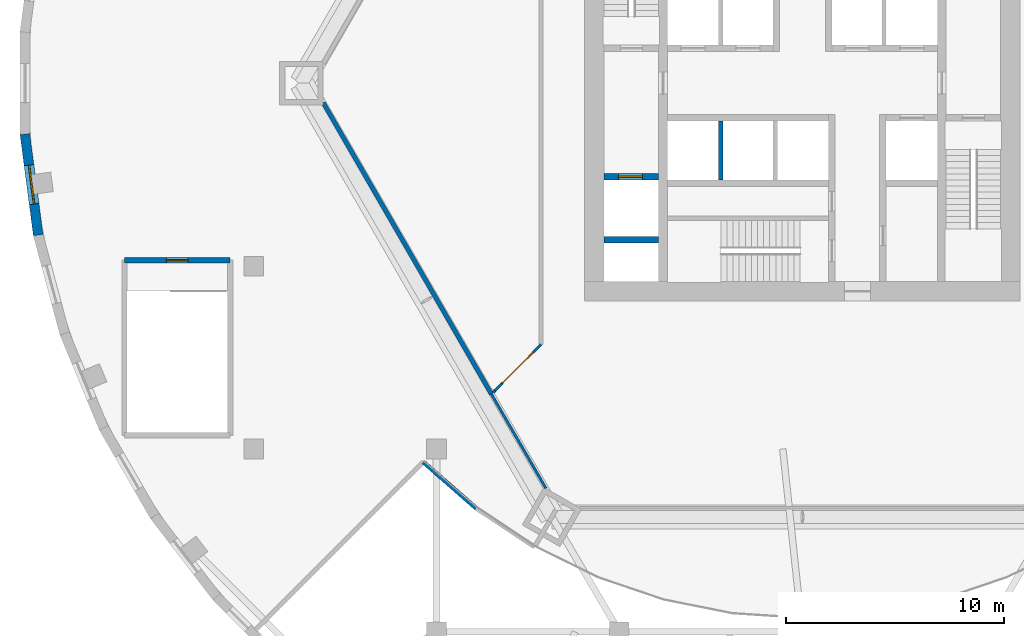
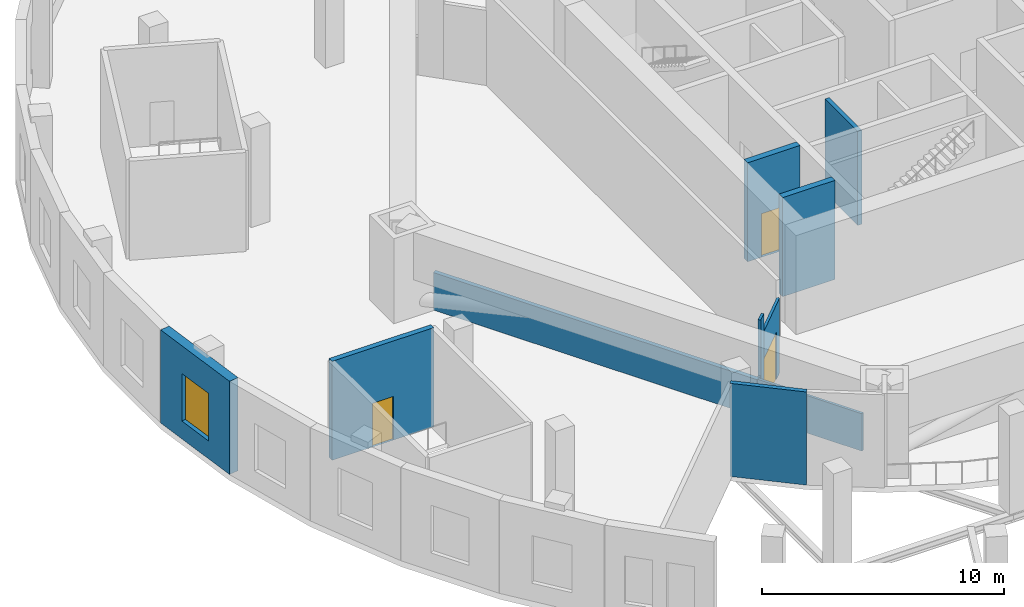
# One storey, part 3 of 10: 11 walls, 3 doors, 1 window, 4 openings.
"""IFC4 building model written with IfcOpenShell, lengths in metres."""

from ifc_helpers import new_model, si_unit, direction, frame, frame_2d, origin, place, context, subcontext, project, spatial, rectangle, extrude, material, layer, layer_set, type_object, element, fill, save


model = new_model("IFC4")

# Units and contexts
model_context = context("Model", 3, precision=1e-05, world=origin(), true_north=direction((0.0, 1.0)))
body_context = subcontext(model_context, "Body", "Model", "MODEL_VIEW")
ifc_project = project(units=[si_unit("LENGTHUNIT", "METRE"), si_unit("AREAUNIT", "SQUARE_METRE"), si_unit("VOLUMEUNIT", "CUBIC_METRE"), si_unit("PLANEANGLEUNIT", "RADIAN"), si_unit("MASSUNIT", "GRAM", prefix="KILO")], contexts=[model_context])

# Site, building, storey
site_placement = place(None, origin())
site = spatial("IfcSite", under=ifc_project, at=site_placement, CompositionType="ELEMENT")
building_placement = place(site_placement, origin())
building = spatial("IfcBuilding", under=site, at=building_placement, Name="Golbaran Civic Tower", CompositionType="ELEMENT")
storey_placement = place(building_placement, frame((0.0, 0.0, 16.0)))
storey = spatial("IfcBuildingStorey", under=building, at=storey_placement, Name="L03", CompositionType="ELEMENT", Elevation=16.0)

# Wall
ifc_material_1 = material(Name="Glazed screen on steel framing", Category="steel")
ifc_layer_1 = layer(ifc_material_1, 0.1201171875, Name="Glazed screen on steel framing")
ifc_layer_set_1 = layer_set([ifc_layer_1], Name="Glazed screen on steel framing")
wall_type_1 = type_object("IfcWallType", Name="GLAZED SCREEN PARTITION 120", PredefinedType="PARTITIONING", material=ifc_layer_set_1)
wall_1_placement = place(storey_placement, frame((-14.1201171875, -14.1201171875, 0.0), z_axis=(0.0, 0.0, 1.0), x_axis=(0.707106781187, 0.707106781187, 0.0)))
element("IfcWall", 1, at=wall_1_placement, inside=storey, type_object=wall_type_1, Name="Podium partition L03", PredefinedType="PARTITIONING", context=body_context, shape_type="SweptSolid", body=[
    extrude(rectangle(XDim=0.479248046875, YDim=0.1201171875, at=frame_2d((0.23974609375, 0.0))), origin(), (0.0, 0.0, 1.0), 4.699951171875),
])

# Wall, opening, door
wall_2_placement = place(storey_placement, frame((-13.78125, -13.78125, 0.0), z_axis=(0.0, 0.0, 1.0), x_axis=(0.707106781187, 0.707106781187, 0.0)))
wall_2 = element("IfcWall", 2, at=wall_2_placement, inside=storey, type_object=wall_type_1, Name="Podium partition L03 (part 2)", PredefinedType="PARTITIONING", context=body_context, shape_type="SweptSolid", body=[
    extrude(rectangle(XDim=2.51904296875, YDim=0.1201171875, at=frame_2d((1.259521484375, 0.0))), origin(), (0.0, 0.0, 1.0), 3.7900390625),
])
opening_1_placement = place(wall_2_placement, frame((0.02001953125, 0.0, 0.0)))
opening_1 = element("IfcOpeningElement", 3, at=opening_1_placement, cuts=wall_2, Name="Opening L03.02", PredefinedType="OPENING", context=body_context, shape_type="SweptSolid", body=[
    extrude(rectangle(XDim=2.0, YDim=2.39990234375, at=frame_2d((1.0, 1.199951171875))), frame((0.0, 0.070068359375, 0.0), z_axis=(0.0, -1.0, 0.0), x_axis=(1.0, 0.0, 0.0)), (0.0, 0.0, 1.0), 0.14013671875),
])
ifc_material_2 = material(Name="Timber door set in steel frame", Category="steel")
door_type_1 = type_object("IfcDoorType", Name="PUBLIC DOUBLE DOOR 2000x2400", OperationType="DOUBLE_DOOR_SINGLE_SWING", PredefinedType="DOOR", material=ifc_material_2)
door_1_placement = place(opening_1_placement, origin())
door_1 = element("IfcDoor", 4, at=door_1_placement, inside=storey, type_object=door_type_1, Name="Office 3 door", OperationType="DOUBLE_DOOR_SINGLE_SWING", OverallHeight=2.39990234375, OverallWidth=2.0, PredefinedType="DOOR", context=body_context, shape_type="SweptSolid", body=[
    extrude(rectangle(XDim=2.0, YDim=2.39990234375, at=frame_2d((1.0, 1.199951171875))), frame((0.0, 0.02490234375, 0.0), z_axis=(0.0, -1.0, 0.0), x_axis=(1.0, 0.0, 0.0)), (0.0, 0.0, 1.0), 0.050048828125),
])
fill(opening_1, door_1)

# Walls
wall_3_placement = place(storey_placement, frame((-14.20068359375, -14.20068359375, 0.0), z_axis=(0.0, 0.0, 1.0), x_axis=(0.707106781187, 0.707106781187, 0.0)))
element("IfcWall", 5, at=wall_3_placement, inside=storey, type_object=wall_type_1, Name="Podium partition L03 under the beam over", PredefinedType="PARTITIONING", context=body_context, shape_type="SweptSolid", body=[
    extrude(rectangle(XDim=0.114013671875, YDim=0.1201171875, at=frame_2d((0.05712890625, 0.0))), origin(), (0.0, 0.0, 1.0), 1.889892578125),
])
wall_4_placement = place(storey_placement, frame((-14.280029296875, -14.280029296875, 0.0), z_axis=(0.0, 0.0, 1.0), x_axis=(0.500785735381, -0.865571283742, 0.0)))
element("IfcWall", 6, at=wall_4_placement, inside=storey, type_object=wall_type_1, Name="Podium partition L03 under the transfer girder", PredefinedType="PARTITIONING", context=body_context, shape_type="SweptSolid", body=[
    extrude(rectangle(XDim=4.994140625, YDim=0.1201171875, at=frame_2d((2.4970703125, 0.0))), origin(), (0.0, 0.0, 1.0), 1.889892578125),
])
ifc_material_3 = material(Name="Concrete block", Category="concrete")
ifc_layer_2 = layer(ifc_material_3, 0.199951171875, Name="Concrete block")
ifc_layer_set_2 = layer_set([ifc_layer_2], Name="Concrete block")
wall_type_2 = type_object("IfcWallType", Name="LIFT SEPARATOR WALL 200", PredefinedType="SOLIDWALL", material=ifc_layer_set_2)
wall_5_placement = place(storey_placement, frame((-3.75, -1.75, 0.0), z_axis=(0.0, 0.0, 1.0), x_axis=(0.0, -1.0, 0.0)))
element("IfcWall", 7, at=wall_5_placement, inside=storey, type_object=wall_type_2, Name="Core partition SSW L03", PredefinedType="SOLIDWALL", context=body_context, shape_type="SweptSolid", body=[
    extrude(rectangle(XDim=2.699951171875, YDim=0.199951171875, at=frame_2d((1.35009765625, 0.0))), origin(), (0.0, 0.0, 1.0), 4.75),
])
ifc_material_4 = material(Name="Concrete block, plastered", Category="concrete")
ifc_layer_3 = layer(ifc_material_4, 0.199951171875, Name="Concrete block, plastered")
ifc_layer_set_3 = layer_set([ifc_layer_3], Name="Concrete block, plastered")
wall_type_3 = type_object("IfcWallType", Name="PODIUM PARTITION 200", PredefinedType="PARTITIONING", material=ifc_layer_set_3)
wall_6_placement = place(storey_placement, frame((-22.0, -0.901123046875, 0.0), z_axis=(0.0, 0.0, 1.0), x_axis=(0.499789042554, -0.866147165869, 0.0)))
element("IfcWall", 8, at=wall_6_placement, inside=storey, type_object=wall_type_3, Name="Podium partition L03 under the transfer girder", PredefinedType="PARTITIONING", context=body_context, shape_type="SweptSolid", body=[
    extrude(rectangle(XDim=15.446533203125, YDim=0.199951171875, at=frame_2d((7.72314453125, 0.0))), origin(), (0.0, 0.0, 1.0), 1.889892578125),
])
wall_7_placement = place(storey_placement, frame((-17.39990234375, -17.39990234375, 0.0), z_axis=(0.0, 0.0, 1.0), x_axis=(0.752162877314, -0.658977242392, 0.0)))
element("IfcWall", 9, at=wall_7_placement, inside=storey, type_object=wall_type_3, Name="Podium partition L03", PredefinedType="PARTITIONING", context=body_context, shape_type="SweptSolid", body=[
    extrude(rectangle(XDim=3.21728515625, YDim=0.199951171875, at=frame_2d((1.608642578125, 0.0))), origin(), (0.0, 0.0, 1.0), 4.699951171875),
])

# Wall, opening, door
ifc_material_5 = material(Name="Concrete C50/60", Category="concrete")
ifc_layer_4 = layer(ifc_material_5, 0.300048828125, Name="Concrete C50/60")
ifc_layer_set_4 = layer_set([ifc_layer_4], Name="Concrete C50/60")
wall_type_4 = type_object("IfcWallType", Name="SHAFT WALL CONCRETE 300", PredefinedType="SOLIDWALL", material=ifc_layer_set_4)
wall_8_placement = place(storey_placement, frame((-9.10009765625, -4.300048828125, 0.0), z_axis=(0.0, 0.0, 1.0), x_axis=(1.0, 0.0, 0.0)))
wall_8 = element("IfcWall", 10, at=wall_8_placement, inside=storey, type_object=wall_type_4, Name="Core wall XW2 L03", PredefinedType="SOLIDWALL", context=body_context, shape_type="SweptSolid", body=[
    extrude(rectangle(XDim=2.5, YDim=0.300048828125, at=frame_2d((1.25, 0.0))), origin(), (0.0, 0.0, 1.0), 5.0),
])
opening_2_placement = place(wall_8_placement, frame((0.64990234375, 0.0, 0.0)))
opening_2 = element("IfcOpeningElement", 11, at=opening_2_placement, cuts=wall_8, Name="Opening L03.LD-F1", PredefinedType="OPENING", context=body_context, shape_type="SweptSolid", body=[
    extrude(rectangle(XDim=1.10009765625, YDim=2.199951171875, at=frame_2d((0.550048828125, 1.10009765625))), frame((0.0, 0.159912109375, 0.0), z_axis=(0.0, -1.0, 0.0), x_axis=(1.0, 0.0, 0.0)), (0.0, 0.0, 1.0), 0.320068359375),
])
ifc_material_6 = material(Name="Stainless steel", Category="steel")
door_type_2 = type_object("IfcDoorType", Name="LIFT LANDING DOOR 1100x2200", OperationType="SLIDING_TO_LEFT", PredefinedType="DOOR", material=ifc_material_6)
door_2_placement = place(opening_2_placement, origin())
door_2 = element("IfcDoor", 12, at=door_2_placement, inside=storey, type_object=door_type_2, Name="Lift landing door F1", OperationType="SLIDING_TO_LEFT", OverallHeight=2.199951171875, OverallWidth=1.10009765625, PredefinedType="DOOR", context=body_context, shape_type="SweptSolid", body=[
    extrude(rectangle(XDim=1.10009765625, YDim=2.199951171875, at=frame_2d((0.550048828125, 1.10009765625))), frame((0.0, 0.02490234375, 0.0), z_axis=(0.0, -1.0, 0.0), x_axis=(1.0, 0.0, 0.0)), (0.0, 0.0, 1.0), 0.050048828125),
])
fill(opening_2, door_2)

# Wall
wall_9_placement = place(storey_placement, frame((-9.10009765625, -7.199951171875, 0.0), z_axis=(0.0, 0.0, 1.0), x_axis=(1.0, 0.0, 0.0)))
element("IfcWall", 13, at=wall_9_placement, inside=storey, type_object=wall_type_4, Name="Core wall XW3 L03", PredefinedType="SOLIDWALL", context=body_context, shape_type="SweptSolid", body=[
    extrude(rectangle(XDim=2.5, YDim=0.300048828125, at=frame_2d((1.25, 0.0))), origin(), (0.0, 0.0, 1.0), 5.0),
])

# Wall, opening, door
ifc_layer_5 = layer(ifc_material_5, 0.25, Name="Concrete C50/60")
ifc_layer_set_5 = layer_set([ifc_layer_5], Name="Concrete C50/60")
wall_type_5 = type_object("IfcWallType", Name="STAIR ENCLOSURE WALL CONCRETE 250", PredefinedType="SOLIDWALL", material=ifc_layer_set_5)
wall_10_placement = place(storey_placement, frame((-31.125, -8.125, 0.0), z_axis=(0.0, 0.0, 1.0), x_axis=(1.0, 0.0, 0.0)))
wall_10 = element("IfcWall", 14, at=wall_10_placement, inside=storey, type_object=wall_type_5, Name="Stair P3 enclosure A L03", PredefinedType="SOLIDWALL", context=body_context, shape_type="SweptSolid", body=[
    extrude(rectangle(XDim=4.85009765625, YDim=0.25, at=frame_2d((2.425048828125, 0.0))), origin(), (0.0, 0.0, 1.0), 5.0),
])
opening_3_placement = place(wall_10_placement, frame((1.925048828125, 0.0, 0.0)))
opening_3 = element("IfcOpeningElement", 15, at=opening_3_placement, cuts=wall_10, Name="Opening L03.P3", PredefinedType="OPENING", context=body_context, shape_type="SweptSolid", body=[
    extrude(rectangle(XDim=1.0, YDim=2.199951171875, at=frame_2d((0.5, 1.10009765625))), frame((0.0, 0.135009765625, 0.0), z_axis=(0.0, -1.0, 0.0), x_axis=(1.0, 0.0, 0.0)), (0.0, 0.0, 1.0), 0.27001953125),
])
door_type_3 = type_object("IfcDoorType", Name="STAIR DOOR 1000x2200", OperationType="SINGLE_SWING_LEFT", PredefinedType="DOOR", material=ifc_material_2)
door_3_placement = place(opening_3_placement, origin())
door_3 = element("IfcDoor", 16, at=door_3_placement, inside=storey, type_object=door_type_3, Name="Stair P3 door", OperationType="SINGLE_SWING_LEFT", OverallHeight=2.199951171875, OverallWidth=1.0, PredefinedType="DOOR", context=body_context, shape_type="SweptSolid", body=[
    extrude(rectangle(XDim=1.0, YDim=2.199951171875, at=frame_2d((0.5, 1.10009765625))), frame((0.0, 0.02490234375, 0.0), z_axis=(0.0, -1.0, 0.0), x_axis=(1.0, 0.0, 0.0)), (0.0, 0.0, 1.0), 0.050048828125),
])
fill(opening_3, door_3)

# Wall, opening, window
ifc_material_7 = material(Name="Terracotta brick", Category="masonry")
ifc_layer_6 = layer(ifc_material_7, 0.449951171875, Name="Terracotta brick")
ifc_layer_set_6 = layer_set([ifc_layer_6], Name="Terracotta brick")
wall_type_6 = type_object("IfcWallType", Name="TERRACOTTA BRICK FACADE WALL 450", PredefinedType="SOLIDWALL", material=ifc_layer_set_6)
wall_11_placement = place(storey_placement, frame((-35.698486328125, -2.33984375, 0.0), z_axis=(0.0, 0.0, 1.0), x_axis=(0.130536838198, -0.991443459746, 0.0)))
wall_11 = element("IfcWall", 17, at=wall_11_placement, inside=storey, type_object=wall_type_6, Name="Podium wall L03 facet 25", PredefinedType="SOLIDWALL", context=body_context, shape_type="SweptSolid", body=[
    extrude(rectangle(XDim=4.679443359375, YDim=0.449951171875, at=frame_2d((2.33984375, 0.0))), origin(), (0.0, 0.0, 1.0), 4.699951171875),
])
opening_4_placement = place(wall_11_placement, frame((1.439697265625, 0.0, 0.89990234375)))
opening_4 = element("IfcOpeningElement", 18, at=opening_4_placement, cuts=wall_11, Name="Opening L03.W27", PredefinedType="OPENING", context=body_context, shape_type="SweptSolid", body=[
    extrude(rectangle(XDim=1.800048828125, YDim=2.39990234375, at=frame_2d((0.89990234375, 1.199951171875))), frame((0.0, 0.23486328125, 0.0), z_axis=(0.0, -1.0, 0.0), x_axis=(1.0, 0.0, 0.0)), (0.0, 0.0, 1.0), 0.469970703125),
])
ifc_material_8 = material(Name="Aluminium frame, clear glass", Category="aluminium")
window_type = type_object("IfcWindowType", Name="PODIUM WINDOW 1800x2400", PartitioningType="SINGLE_PANEL", PredefinedType="WINDOW", material=ifc_material_8)
window_placement = place(opening_4_placement, origin())
window = element("IfcWindow", 19, at=window_placement, inside=storey, type_object=window_type, Name="Podium window L03 facet 25", OverallHeight=2.39990234375, OverallWidth=1.800048828125, PartitioningType="SINGLE_PANEL", PredefinedType="WINDOW", context=body_context, shape_type="SweptSolid", body=[
    extrude(rectangle(XDim=1.800048828125, YDim=2.39990234375, at=frame_2d((0.89990234375, 1.199951171875))), frame((0.0, 0.030029296875, 0.0), z_axis=(0.0, -1.0, 0.0), x_axis=(1.0, 0.0, 0.0)), (0.0, 0.0, 1.0), 0.06005859375),
])
fill(opening_4, window)

save(model, "model.ifc")
